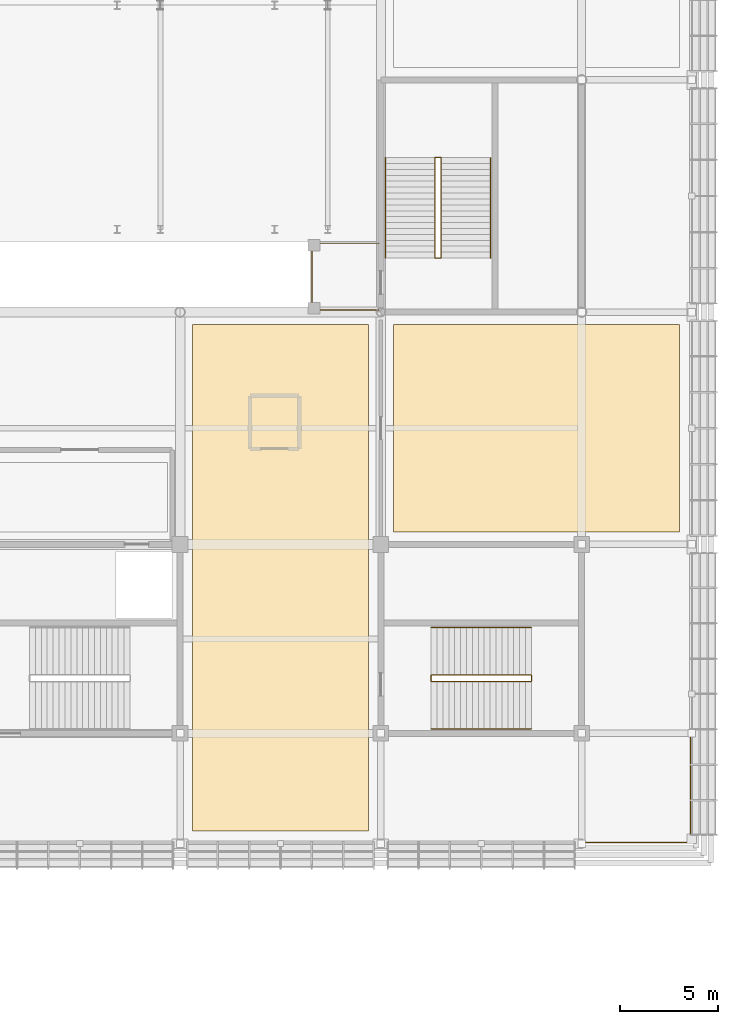
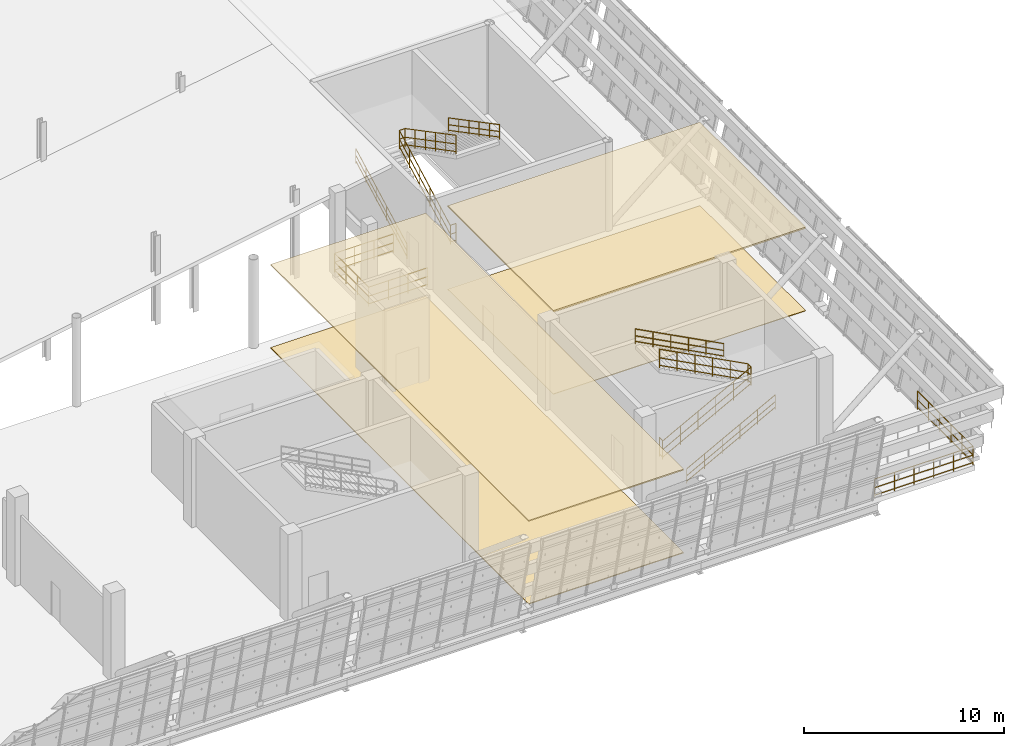
# One storey, part 168 of 175: 10 railings, 4 coverings.
"""IFC4 building model written with IfcOpenShell, lengths in metres."""

from ifc_helpers import new_model, si_unit, direction, frame, origin, origin_2d, place, context, subcontext, project, spatial, polyline, circle, outline, extrude, material, layer, layer_set, type_object, element, save


model = new_model("IFC4")

# Units and contexts
model_context = context("Model", 3, precision=1e-05, world=origin(), true_north=direction((0.0, 1.0)))
body_context = subcontext(model_context, "Body", "Model", "MODEL_VIEW")
ifc_project = project(units=[si_unit("LENGTHUNIT", "METRE"), si_unit("AREAUNIT", "SQUARE_METRE"), si_unit("VOLUMEUNIT", "CUBIC_METRE"), si_unit("PLANEANGLEUNIT", "RADIAN"), si_unit("MASSUNIT", "GRAM", prefix="KILO")], contexts=[model_context])

# Site, building, storey
site_placement = place(None, origin())
site = spatial("IfcSite", under=ifc_project, at=site_placement, CompositionType="ELEMENT")
building_placement = place(site_placement, origin())
building = spatial("IfcBuilding", under=site, at=building_placement, Name="Brelvane Convention Centre", CompositionType="ELEMENT")
storey_placement = place(building_placement, frame((0.0, 0.0, 5.39990234375)))
storey = spatial("IfcBuildingStorey", under=building, at=storey_placement, Name="L01", CompositionType="ELEMENT", Elevation=5.39990234375)

# Coverings
ifc_material_1 = material(Name="Perforated Anodised Aluminium Alloy 6063 Acoustic Baffle", Category="aluminium")
ifc_layer_1 = layer(ifc_material_1, 0.074951171875)
ifc_layer_set_1 = layer_set([ifc_layer_1], Name="Perforated Anodised Aluminium Alloy 6063 Acoustic Baffle")
covering_type_1 = type_object("IfcCoveringType", Name="Interior Finish CL-BAF-75", PredefinedType="CEILING", material=ifc_layer_set_1)
covering_1_placement = place(storey_placement, frame((0.0, 0.0, 5.045166015625)))
element("IfcCovering", 1, at=covering_1_placement, inside=storey, type_object=covering_type_1, Name="Business Centre Acoustic Ceiling (CL-BAF-75)", PredefinedType="CEILING", context=body_context, shape_type="SweptSolid", body=[
    extrude(outline(polyline([(204.6298828125, 14.22998046875), (213.570068359375, 14.22998046875), (213.570068359375, 39.969970703125), (204.6298828125, 39.969970703125), (204.6298828125, 14.22998046875)])), origin(), (0.0, 0.0, 1.0), 0.074951171875),
])
ifc_material_2 = material(Name="Perforated Anodised Aluminium Alloy 6063 Acoustic Baffle", Category="aluminium")
ifc_layer_2 = layer(ifc_material_2, 0.090087890625)
ifc_layer_set_2 = layer_set([ifc_layer_2], Name="Perforated Anodised Aluminium Alloy 6063 Acoustic Baffle")
covering_type_2 = type_object("IfcCoveringType", Name="Interior Finish CL-BAF-90", PredefinedType="CEILING", material=ifc_layer_set_2)
covering_2_placement = place(storey_placement, frame((0.0, 0.0, 5.030029296875)))
element("IfcCovering", 2, at=covering_2_placement, inside=storey, type_object=covering_type_2, Name="Delegate Courtyard Brasserie L01 Acoustic Ceiling (CL-BAF-90)", PredefinedType="CEILING", context=body_context, shape_type="SweptSolid", body=[
    extrude(outline(polyline([(214.830078125, 29.429931640625), (229.3701171875, 29.429931640625), (229.3701171875, 39.969970703125), (214.830078125, 39.969970703125), (214.830078125, 29.429931640625)])), origin(), (0.0, 0.0, 1.0), 0.090087890625),
])
ifc_material_3 = material(Name="Heavy-Duty Quartz-Filled Industrial Epoxy Screed Grade A")
ifc_layer_3 = layer(ifc_material_3, 0.034912109375)
ifc_layer_set_3 = layer_set([ifc_layer_3], Name="Heavy-Duty Quartz-Filled Industrial Epoxy Screed Grade A")
covering_type_3 = type_object("IfcCoveringType", Name="Interior Finish FL-EPX-35", PredefinedType="FLOORING", material=ifc_layer_set_3)
covering_3_placement = place(storey_placement, origin())
element("IfcCovering", 3, at=covering_3_placement, inside=storey, type_object=covering_type_3, Name="Delegate Courtyard Brasserie L01 Floor Finish (FL-EPX-35)", PredefinedType="FLOORING", context=body_context, shape_type="SweptSolid", body=[
    extrude(outline(polyline([(214.830078125, 29.429931640625), (229.3701171875, 29.429931640625), (229.3701171875, 39.969970703125), (214.830078125, 39.969970703125), (214.830078125, 29.429931640625)])), origin(), (0.0, 0.0, 1.0), 0.03515625),
])
ifc_material_4 = material(Name="Polished Basalt-Aggregate Terrazzo Screed Concrete M30", Category="masonry")
ifc_layer_4 = layer(ifc_material_4, 0.050048828125)
ifc_layer_set_4 = layer_set([ifc_layer_4], Name="Polished Basalt-Aggregate Terrazzo Screed Concrete M30")
covering_type_4 = type_object("IfcCoveringType", Name="Interior Finish FL-TER-50", PredefinedType="FLOORING", material=ifc_layer_set_4)
covering_4_placement = place(storey_placement, origin())
element("IfcCovering", 4, at=covering_4_placement, inside=storey, type_object=covering_type_4, Name="Business Centre Floor Finish (FL-TER-50)", PredefinedType="FLOORING", context=body_context, shape_type="SweptSolid", body=[
    extrude(outline(polyline([(204.6298828125, 14.22998046875), (213.570068359375, 14.22998046875), (213.570068359375, 39.969970703125), (204.6298828125, 39.969970703125), (204.6298828125, 14.22998046875)])), origin(), (0.0, 0.0, 1.0), 0.050048828125),
])

# Railings
ifc_material_5 = material(Name="Steel E350 (350 MPa)", Category="steel")
railing_type_1 = type_object("IfcRailingType", Name="Railing BL-ATR-1", PredefinedType="BALUSTRADE", material=ifc_material_5)
railing_1_placement = place(storey_placement, frame((214.10009765625, 44.10009765625, 0.0)))
element("IfcRailing", 5, at=railing_1_placement, inside=storey, type_object=railing_type_1, Name="Railing BL-ATR-1 L01-plen_vom_s_guard", PredefinedType="BALUSTRADE", context=body_context, shape_type="SweptSolid", body=[
    extrude(circle(Radius=0.02392578125, at=origin_2d()), frame((0.0, 0.0, 1.15576171875), z_axis=(-1.0, 0.0, 0.0), x_axis=(0.0, -1.0, 0.0)), (0.0, 0.0, 1.0), 3.400146484375),
    extrude(circle(Radius=0.02392578125, at=origin_2d()), frame((0.0, 0.0, 0.613525390625), z_axis=(-1.0, 0.0, 0.0), x_axis=(0.0, -1.0, 0.0)), (0.0, 0.0, 1.0), 3.400146484375),
    extrude(circle(Radius=0.02392578125, at=origin_2d()), frame((0.0, 0.0, 0.139892578125), z_axis=(-1.0, 0.0, 0.0), x_axis=(0.0, -1.0, 0.0)), (0.0, 0.0, 1.0), 3.400146484375),
    extrude(circle(Radius=0.02392578125, at=origin_2d()), frame((-3.400146484375, 0.0, 1.15576171875), z_axis=(0.0, -1.0, 0.0), x_axis=(1.0, 0.0, 0.0)), (0.0, 0.0, 1.0), 3.400146484375),
    extrude(circle(Radius=0.02392578125, at=origin_2d()), frame((-3.400146484375, 0.0, 0.613525390625), z_axis=(0.0, -1.0, 0.0), x_axis=(1.0, 0.0, 0.0)), (0.0, 0.0, 1.0), 3.400146484375),
    extrude(circle(Radius=0.02392578125, at=origin_2d()), frame((-3.400146484375, 0.0, 0.139892578125), z_axis=(0.0, -1.0, 0.0), x_axis=(1.0, 0.0, 0.0)), (0.0, 0.0, 1.0), 3.400146484375),
    extrude(circle(Radius=0.02392578125, at=origin_2d()), frame((-3.400146484375, -3.400146484375, 1.15576171875), z_axis=(1.0, 0.0, 0.0), x_axis=(0.0, 1.0, 0.0)), (0.0, 0.0, 1.0), 3.400146484375),
    extrude(circle(Radius=0.02392578125, at=origin_2d()), frame((-3.400146484375, -3.400146484375, 0.613525390625), z_axis=(1.0, 0.0, 0.0), x_axis=(0.0, 1.0, 0.0)), (0.0, 0.0, 1.0), 3.400146484375),
    extrude(circle(Radius=0.02392578125, at=origin_2d()), frame((-3.400146484375, -3.400146484375, 0.139892578125), z_axis=(1.0, 0.0, 0.0), x_axis=(0.0, 1.0, 0.0)), (0.0, 0.0, 1.0), 3.400146484375),
    extrude(circle(Radius=0.02099609375, at=origin_2d()), origin(), (0.0, 0.0, 1.0), 1.1318359375),
    extrude(circle(Radius=0.02099609375, at=origin_2d()), frame((-1.13330078125, 0.0, 0.0)), (0.0, 0.0, 1.0), 1.1318359375),
    extrude(circle(Radius=0.02099609375, at=origin_2d()), frame((-2.266845703125, 0.0, 0.0)), (0.0, 0.0, 1.0), 1.1318359375),
    extrude(circle(Radius=0.02099609375, at=origin_2d()), frame((-3.400146484375, 0.0, 0.0)), (0.0, 0.0, 1.0), 1.1318359375),
    extrude(circle(Radius=0.02099609375, at=origin_2d()), frame((-3.400146484375, -1.13330078125, 0.0)), (0.0, 0.0, 1.0), 1.1318359375),
    extrude(circle(Radius=0.02099609375, at=origin_2d()), frame((-3.400146484375, -2.266845703125, 0.0)), (0.0, 0.0, 1.0), 1.1318359375),
    extrude(circle(Radius=0.02099609375, at=origin_2d()), frame((-3.400146484375, -3.400146484375, 0.0)), (0.0, 0.0, 1.0), 1.1318359375),
    extrude(circle(Radius=0.02099609375, at=origin_2d()), frame((-2.266845703125, -3.400146484375, 0.0)), (0.0, 0.0, 1.0), 1.1318359375),
    extrude(circle(Radius=0.02099609375, at=origin_2d()), frame((-1.13330078125, -3.400146484375, 0.0)), (0.0, 0.0, 1.0), 1.1318359375),
    extrude(circle(Radius=0.02099609375, at=origin_2d()), frame((0.0, -3.400146484375, 0.0)), (0.0, 0.0, 1.0), 1.1318359375),
])
ifc_material_6 = material(Name="Steel E350 (350 MPa)", Category="steel")
railing_type_2 = type_object("IfcRailingType", Name="Railing GR-EXT-1", PredefinedType="GUARDRAIL", material=ifc_material_6)
railing_2_placement = place(storey_placement, frame((224.25, 13.659912109375, 0.0)))
element("IfcRailing", 6, at=railing_2_placement, inside=storey, type_object=railing_type_2, Name="Railing GR-EXT-1 L01-bus_east_edge_L01", PredefinedType="GUARDRAIL", context=body_context, shape_type="SweptSolid", body=[
    extrude(circle(Radius=0.02392578125, at=origin_2d()), frame((0.0, 0.0, 1.1259765625), z_axis=(1.0, 0.0, 0.0), x_axis=(0.0, 1.0, 0.0)), (0.0, 0.0, 1.0), 5.669921875),
    extrude(circle(Radius=0.02392578125, at=origin_2d()), frame((0.0, 0.0, 0.597900390625), z_axis=(1.0, 0.0, 0.0), x_axis=(0.0, 1.0, 0.0)), (0.0, 0.0, 1.0), 5.669921875),
    extrude(circle(Radius=0.02392578125, at=origin_2d()), frame((0.0, 0.0, 0.139892578125), z_axis=(1.0, 0.0, 0.0), x_axis=(0.0, 1.0, 0.0)), (0.0, 0.0, 1.0), 5.669921875),
    extrude(circle(Radius=0.02392578125, at=origin_2d()), frame((5.669921875, 0.0, 1.1259765625), z_axis=(0.0, 1.0, 0.0), x_axis=(-1.0, 0.0, 0.0)), (0.0, 0.0, 1.0), 5.56005859375),
    extrude(circle(Radius=0.02392578125, at=origin_2d()), frame((5.669921875, 0.0, 0.597900390625), z_axis=(0.0, 1.0, 0.0), x_axis=(-1.0, 0.0, 0.0)), (0.0, 0.0, 1.0), 5.56005859375),
    extrude(circle(Radius=0.02392578125, at=origin_2d()), frame((5.669921875, 0.0, 0.139892578125), z_axis=(0.0, 1.0, 0.0), x_axis=(-1.0, 0.0, 0.0)), (0.0, 0.0, 1.0), 5.56005859375),
    extrude(circle(Radius=0.02099609375, at=origin_2d()), origin(), (0.0, 0.0, 1.0), 1.101806640625),
    extrude(circle(Radius=0.02099609375, at=origin_2d()), frame((1.134033203125, 0.0, 0.0)), (0.0, 0.0, 1.0), 1.101806640625),
    extrude(circle(Radius=0.02099609375, at=origin_2d()), frame((2.26806640625, 0.0, 0.0)), (0.0, 0.0, 1.0), 1.101806640625),
    extrude(circle(Radius=0.02099609375, at=origin_2d()), frame((3.40185546875, 0.0, 0.0)), (0.0, 0.0, 1.0), 1.101806640625),
    extrude(circle(Radius=0.02099609375, at=origin_2d()), frame((4.535888671875, 0.0, 0.0)), (0.0, 0.0, 1.0), 1.101806640625),
    extrude(circle(Radius=0.02099609375, at=origin_2d()), frame((5.669921875, 0.0, 0.0)), (0.0, 0.0, 1.0), 1.101806640625),
    extrude(circle(Radius=0.02099609375, at=origin_2d()), frame((5.669921875, 1.112060546875, 0.0)), (0.0, 0.0, 1.0), 1.101806640625),
    extrude(circle(Radius=0.02099609375, at=origin_2d()), frame((5.669921875, 2.22412109375, 0.0)), (0.0, 0.0, 1.0), 1.101806640625),
    extrude(circle(Radius=0.02099609375, at=origin_2d()), frame((5.669921875, 3.3359375, 0.0)), (0.0, 0.0, 1.0), 1.101806640625),
    extrude(circle(Radius=0.02099609375, at=origin_2d()), frame((5.669921875, 4.447998046875, 0.0)), (0.0, 0.0, 1.0), 1.101806640625),
    extrude(circle(Radius=0.02099609375, at=origin_2d()), frame((5.669921875, 5.56005859375, 0.0)), (0.0, 0.0, 1.0), 1.101806640625),
])
ifc_material_7 = material(Name="Steel E350 (350 MPa)", Category="steel")
railing_type_3 = type_object("IfcRailingType", Name="Stair Railing GR-ST-1", PredefinedType="GUARDRAIL", material=ifc_material_7)
railing_3_placement = place(storey_placement, frame((216.75, 21.840087890625, -0.02001953125)))
element("IfcRailing", 7, at=railing_3_placement, inside=storey, type_object=railing_type_3, Name="Stair ST-14 L01 Inner Well Guard", PredefinedType="GUARDRAIL", context=body_context, shape_type="SweptSolid", body=[
    extrude(circle(Radius=0.02392578125, at=origin_2d()), frame((0.0, 0.0, 1.1259765625), z_axis=(0.882341248864, 0.0, 0.470610157724), x_axis=(0.0, 1.0, 0.0)), (0.0, 0.0, 1.0), 5.7802734375),
    extrude(circle(Radius=0.02392578125, at=origin_2d()), frame((0.0, 0.0, 0.597900390625), z_axis=(0.882341248864, 0.0, 0.470610157724), x_axis=(0.0, 1.0, 0.0)), (0.0, 0.0, 1.0), 5.7802734375),
    extrude(circle(Radius=0.02392578125, at=origin_2d()), frame((0.0, 0.0, 0.139892578125), z_axis=(0.882341248864, 0.0, 0.470610157724), x_axis=(0.0, 1.0, 0.0)), (0.0, 0.0, 1.0), 5.7802734375),
    extrude(circle(Radius=0.02392578125, at=origin_2d()), frame((5.10009765625, 0.0, 3.84619140625), z_axis=(0.0, 1.0, 0.0), x_axis=(-1.0, 0.0, 0.0)), (0.0, 0.0, 1.0), 0.31982421875),
    extrude(circle(Radius=0.02392578125, at=origin_2d()), frame((5.10009765625, 0.0, 3.318115234375), z_axis=(0.0, 1.0, 0.0), x_axis=(-1.0, 0.0, 0.0)), (0.0, 0.0, 1.0), 0.31982421875),
    extrude(circle(Radius=0.02392578125, at=origin_2d()), frame((5.10009765625, 0.0, 2.860107421875), z_axis=(0.0, 1.0, 0.0), x_axis=(-1.0, 0.0, 0.0)), (0.0, 0.0, 1.0), 0.31982421875),
    extrude(circle(Radius=0.02392578125, at=origin_2d()), frame((5.10009765625, 0.31982421875, 3.84619140625), z_axis=(-0.885227801088, 0.0, 0.465157758379), x_axis=(0.0, -1.0, 0.0)), (0.0, 0.0, 1.0), 5.76123046875),
    extrude(circle(Radius=0.02392578125, at=origin_2d()), frame((5.10009765625, 0.31982421875, 3.318115234375), z_axis=(-0.885227801088, 0.0, 0.465157758379), x_axis=(0.0, -1.0, 0.0)), (0.0, 0.0, 1.0), 5.76123046875),
    extrude(circle(Radius=0.02392578125, at=origin_2d()), frame((5.10009765625, 0.31982421875, 2.860107421875), z_axis=(-0.885227801088, 0.0, 0.465157758379), x_axis=(0.0, -1.0, 0.0)), (0.0, 0.0, 1.0), 5.76123046875),
    extrude(circle(Radius=0.02099609375, at=origin_2d()), origin(), (0.0, 0.0, 1.0), 1.101806640625),
    extrude(circle(Radius=0.02099609375, at=origin_2d()), frame((1.02001953125, 0.0, 0.5439453125)), (0.0, 0.0, 1.0), 1.101806640625),
    extrude(circle(Radius=0.02099609375, at=origin_2d()), frame((2.0400390625, 0.0, 1.088134765625)), (0.0, 0.0, 1.0), 1.101806640625),
    extrude(circle(Radius=0.02099609375, at=origin_2d()), frame((3.06005859375, 0.0, 1.632080078125)), (0.0, 0.0, 1.0), 1.101806640625),
    extrude(circle(Radius=0.02099609375, at=origin_2d()), frame((4.080078125, 0.0, 2.17626953125)), (0.0, 0.0, 1.0), 1.101806640625),
    extrude(circle(Radius=0.02099609375, at=origin_2d()), frame((5.10009765625, 0.0, 2.72021484375)), (0.0, 0.0, 1.0), 1.101806640625),
    extrude(circle(Radius=0.02099609375, at=origin_2d()), frame((5.10009765625, 0.31982421875, 2.72021484375)), (0.0, 0.0, 1.0), 1.101806640625),
    extrude(circle(Radius=0.02099609375, at=origin_2d()), frame((4.080078125, 0.31982421875, 3.256103515625)), (0.0, 0.0, 1.0), 1.101806640625),
    extrude(circle(Radius=0.02099609375, at=origin_2d()), frame((3.06005859375, 0.31982421875, 3.792236328125)), (0.0, 0.0, 1.0), 1.101806640625),
    extrude(circle(Radius=0.02099609375, at=origin_2d()), frame((2.0400390625, 0.31982421875, 4.328125)), (0.0, 0.0, 1.0), 1.101806640625),
    extrude(circle(Radius=0.02099609375, at=origin_2d()), frame((1.02001953125, 0.31982421875, 4.8642578125)), (0.0, 0.0, 1.0), 1.101806640625),
    extrude(circle(Radius=0.02099609375, at=origin_2d()), frame((0.0, 0.31982421875, 5.400146484375)), (0.0, 0.0, 1.0), 1.101806640625),
])
railing_4_placement = place(storey_placement, frame((216.93994140625, 43.35009765625, -0.02001953125)))
element("IfcRailing", 8, at=railing_4_placement, inside=storey, type_object=railing_type_3, Name="Stair ST-15 L01 Inner Well Guard", PredefinedType="GUARDRAIL", context=body_context, shape_type="SweptSolid", body=[
    extrude(circle(Radius=0.02392578125, at=origin_2d()), frame((0.0, 0.0, 1.1259765625), z_axis=(0.0, 0.882331893838, 0.470627696929), x_axis=(-1.0, 0.0, 0.0)), (0.0, 0.0, 1.0), 5.780029296875),
    extrude(circle(Radius=0.02392578125, at=origin_2d()), frame((0.0, 0.0, 0.597900390625), z_axis=(0.0, 0.882331893838, 0.470627696929), x_axis=(-1.0, 0.0, 0.0)), (0.0, 0.0, 1.0), 5.780029296875),
    extrude(circle(Radius=0.02392578125, at=origin_2d()), frame((0.0, 0.0, 0.139892578125), z_axis=(0.0, 0.882331893838, 0.470627696929), x_axis=(-1.0, 0.0, 0.0)), (0.0, 0.0, 1.0), 5.780029296875),
    extrude(circle(Radius=0.02392578125, at=origin_2d()), frame((0.0, 5.099853515625, 3.84619140625), z_axis=(1.0, 0.0, 0.0), x_axis=(0.0, 1.0, 0.0)), (0.0, 0.0, 1.0), 0.320068359375),
    extrude(circle(Radius=0.02392578125, at=origin_2d()), frame((0.0, 5.099853515625, 3.318115234375), z_axis=(1.0, 0.0, 0.0), x_axis=(0.0, 1.0, 0.0)), (0.0, 0.0, 1.0), 0.320068359375),
    extrude(circle(Radius=0.02392578125, at=origin_2d()), frame((0.0, 5.099853515625, 2.860107421875), z_axis=(1.0, 0.0, 0.0), x_axis=(0.0, 1.0, 0.0)), (0.0, 0.0, 1.0), 0.320068359375),
    extrude(circle(Radius=0.02392578125, at=origin_2d()), frame((0.320068359375, 5.099853515625, 3.84619140625), z_axis=(0.0, -0.885218631674, 0.465175207999), x_axis=(1.0, 0.0, 0.0)), (0.0, 0.0, 1.0), 5.76123046875),
    extrude(circle(Radius=0.02392578125, at=origin_2d()), frame((0.320068359375, 5.099853515625, 3.318115234375), z_axis=(0.0, -0.885218631674, 0.465175207999), x_axis=(1.0, 0.0, 0.0)), (0.0, 0.0, 1.0), 5.76123046875),
    extrude(circle(Radius=0.02392578125, at=origin_2d()), frame((0.320068359375, 5.099853515625, 2.860107421875), z_axis=(0.0, -0.885218631674, 0.465175207999), x_axis=(1.0, 0.0, 0.0)), (0.0, 0.0, 1.0), 5.76123046875),
    extrude(circle(Radius=0.02099609375, at=origin_2d()), origin(), (0.0, 0.0, 1.0), 1.101806640625),
    extrude(circle(Radius=0.02099609375, at=origin_2d()), frame((0.0, 1.02001953125, 0.5439453125)), (0.0, 0.0, 1.0), 1.101806640625),
    extrude(circle(Radius=0.02099609375, at=origin_2d()), frame((0.0, 2.0400390625, 1.088134765625)), (0.0, 0.0, 1.0), 1.101806640625),
    extrude(circle(Radius=0.02099609375, at=origin_2d()), frame((0.0, 3.059814453125, 1.632080078125)), (0.0, 0.0, 1.0), 1.101806640625),
    extrude(circle(Radius=0.02099609375, at=origin_2d()), frame((0.0, 4.079833984375, 2.17626953125)), (0.0, 0.0, 1.0), 1.101806640625),
    extrude(circle(Radius=0.02099609375, at=origin_2d()), frame((0.0, 5.099853515625, 2.72021484375)), (0.0, 0.0, 1.0), 1.101806640625),
    extrude(circle(Radius=0.02099609375, at=origin_2d()), frame((0.320068359375, 5.099853515625, 2.72021484375)), (0.0, 0.0, 1.0), 1.101806640625),
    extrude(circle(Radius=0.02099609375, at=origin_2d()), frame((0.320068359375, 4.079833984375, 3.256103515625)), (0.0, 0.0, 1.0), 1.101806640625),
    extrude(circle(Radius=0.02099609375, at=origin_2d()), frame((0.320068359375, 3.059814453125, 3.792236328125)), (0.0, 0.0, 1.0), 1.101806640625),
    extrude(circle(Radius=0.02099609375, at=origin_2d()), frame((0.320068359375, 2.0400390625, 4.328125)), (0.0, 0.0, 1.0), 1.101806640625),
    extrude(circle(Radius=0.02099609375, at=origin_2d()), frame((0.320068359375, 1.02001953125, 4.8642578125)), (0.0, 0.0, 1.0), 1.101806640625),
    extrude(circle(Radius=0.02099609375, at=origin_2d()), frame((0.320068359375, 0.0, 5.400146484375)), (0.0, 0.0, 1.0), 1.101806640625),
])
ifc_material_8 = material(Name="Steel E350 (350 MPa)", Category="steel")
railing_type_4 = type_object("IfcRailingType", Name="Stair Railing GR-ST-2", PredefinedType="GUARDRAIL", material=ifc_material_8)
railing_5_placement = place(storey_placement, frame((216.75, 21.840087890625, -0.02001953125)))
element("IfcRailing", 9, at=railing_5_placement, inside=storey, type_object=railing_type_4, Name="Stair ST-14 L01 Landing Well Guard", PredefinedType="GUARDRAIL", context=body_context, shape_type="SweptSolid", body=[
    extrude(circle(Radius=0.02392578125, at=origin_2d()), frame((0.0, 0.0, 1.15576171875), z_axis=(0.0, 1.0, 0.0), x_axis=(-1.0, 0.0, 0.0)), (0.0, 0.0, 1.0), 0.31982421875),
    extrude(circle(Radius=0.02392578125, at=origin_2d()), frame((0.0, 0.0, 0.613525390625), z_axis=(0.0, 1.0, 0.0), x_axis=(-1.0, 0.0, 0.0)), (0.0, 0.0, 1.0), 0.31982421875),
    extrude(circle(Radius=0.02392578125, at=origin_2d()), frame((0.0, 0.0, 0.139892578125), z_axis=(0.0, 1.0, 0.0), x_axis=(-1.0, 0.0, 0.0)), (0.0, 0.0, 1.0), 0.31982421875),
    extrude(circle(Radius=0.02099609375, at=origin_2d()), origin(), (0.0, 0.0, 1.0), 1.1318359375),
    extrude(circle(Radius=0.02099609375, at=origin_2d()), frame((0.0, 0.31982421875, 0.0)), (0.0, 0.0, 1.0), 1.1318359375),
])
railing_6_placement = place(storey_placement, frame((216.93994140625, 43.35009765625, -0.02001953125)))
element("IfcRailing", 10, at=railing_6_placement, inside=storey, type_object=railing_type_4, Name="Stair ST-15 L01 Landing Well Guard", PredefinedType="GUARDRAIL", context=body_context, shape_type="SweptSolid", body=[
    extrude(circle(Radius=0.02392578125, at=origin_2d()), frame((0.0, 0.0, 1.15576171875), z_axis=(1.0, 0.0, 0.0), x_axis=(0.0, 1.0, 0.0)), (0.0, 0.0, 1.0), 0.320068359375),
    extrude(circle(Radius=0.02392578125, at=origin_2d()), frame((0.0, 0.0, 0.613525390625), z_axis=(1.0, 0.0, 0.0), x_axis=(0.0, 1.0, 0.0)), (0.0, 0.0, 1.0), 0.320068359375),
    extrude(circle(Radius=0.02392578125, at=origin_2d()), frame((0.0, 0.0, 0.139892578125), z_axis=(1.0, 0.0, 0.0), x_axis=(0.0, 1.0, 0.0)), (0.0, 0.0, 1.0), 0.320068359375),
    extrude(circle(Radius=0.02099609375, at=origin_2d()), origin(), (0.0, 0.0, 1.0), 1.1318359375),
    extrude(circle(Radius=0.02099609375, at=origin_2d()), frame((0.320068359375, 0.0, 0.0)), (0.0, 0.0, 1.0), 1.1318359375),
])
ifc_material_9 = material(Name="Steel E350 (350 MPa)", Category="steel")
railing_type_5 = type_object("IfcRailingType", Name="Stair Railing HR-ST-1", PredefinedType="HANDRAIL", material=ifc_material_9)
railing_7_placement = place(storey_placement, frame((216.75, 19.429931640625, -0.02001953125)))
element("IfcRailing", 11, at=railing_7_placement, inside=storey, type_object=railing_type_5, Name="Stair ST-14 L01 Outer Handrail F1", PredefinedType="HANDRAIL", context=body_context, shape_type="SweptSolid", body=[
    extrude(circle(Radius=0.02392578125, at=origin_2d()), frame((0.0, 0.0, 0.89599609375), z_axis=(0.882341248864, 0.0, 0.470610157724), x_axis=(0.0, 1.0, 0.0)), (0.0, 0.0, 1.0), 5.7802734375),
    extrude(circle(Radius=0.02392578125, at=origin_2d()), frame((0.0, 0.0, 0.478271484375), z_axis=(0.882341248864, 0.0, 0.470610157724), x_axis=(0.0, 1.0, 0.0)), (0.0, 0.0, 1.0), 5.7802734375),
    extrude(circle(Radius=0.02392578125, at=origin_2d()), frame((0.0, 0.0, 0.139892578125), z_axis=(0.882341248864, 0.0, 0.470610157724), x_axis=(0.0, 1.0, 0.0)), (0.0, 0.0, 1.0), 5.7802734375),
    extrude(circle(Radius=0.02099609375, at=origin_2d()), origin(), (0.0, 0.0, 1.0), 0.871826171875),
    extrude(circle(Radius=0.02099609375, at=origin_2d()), frame((1.02001953125, 0.0, 0.5439453125)), (0.0, 0.0, 1.0), 0.871826171875),
    extrude(circle(Radius=0.02099609375, at=origin_2d()), frame((2.0400390625, 0.0, 1.088134765625)), (0.0, 0.0, 1.0), 0.871826171875),
    extrude(circle(Radius=0.02099609375, at=origin_2d()), frame((3.06005859375, 0.0, 1.632080078125)), (0.0, 0.0, 1.0), 0.871826171875),
    extrude(circle(Radius=0.02099609375, at=origin_2d()), frame((4.080078125, 0.0, 2.17626953125)), (0.0, 0.0, 1.0), 0.871826171875),
    extrude(circle(Radius=0.02099609375, at=origin_2d()), frame((5.10009765625, 0.0, 2.72021484375)), (0.0, 0.0, 1.0), 0.871826171875),
])
railing_8_placement = place(storey_placement, frame((221.85009765625, 24.570068359375, 2.7001953125)))
element("IfcRailing", 12, at=railing_8_placement, inside=storey, type_object=railing_type_5, Name="Stair ST-14 L01 Outer Handrail F2", PredefinedType="HANDRAIL", context=body_context, shape_type="SweptSolid", body=[
    extrude(circle(Radius=0.02392578125, at=origin_2d()), frame((0.0, 0.0, 0.89599609375), z_axis=(-0.885227801088, 0.0, 0.465157758379), x_axis=(0.0, -1.0, 0.0)), (0.0, 0.0, 1.0), 5.76123046875),
    extrude(circle(Radius=0.02392578125, at=origin_2d()), frame((0.0, 0.0, 0.478271484375), z_axis=(-0.885227801088, 0.0, 0.465157758379), x_axis=(0.0, -1.0, 0.0)), (0.0, 0.0, 1.0), 5.76123046875),
    extrude(circle(Radius=0.02392578125, at=origin_2d()), frame((0.0, 0.0, 0.139892578125), z_axis=(-0.885227801088, 0.0, 0.465157758379), x_axis=(0.0, -1.0, 0.0)), (0.0, 0.0, 1.0), 5.76123046875),
    extrude(circle(Radius=0.02099609375, at=origin_2d()), origin(), (0.0, 0.0, 1.0), 0.871826171875),
    extrude(circle(Radius=0.02099609375, at=origin_2d()), frame((-1.02001953125, 0.0, 0.535888671875)), (0.0, 0.0, 1.0), 0.871826171875),
    extrude(circle(Radius=0.02099609375, at=origin_2d()), frame((-2.0400390625, 0.0, 1.072021484375)), (0.0, 0.0, 1.0), 0.871826171875),
    extrude(circle(Radius=0.02099609375, at=origin_2d()), frame((-3.06005859375, 0.0, 1.60791015625)), (0.0, 0.0, 1.0), 0.871826171875),
    extrude(circle(Radius=0.02099609375, at=origin_2d()), frame((-4.080078125, 0.0, 2.14404296875)), (0.0, 0.0, 1.0), 0.871826171875),
    extrude(circle(Radius=0.02099609375, at=origin_2d()), frame((-5.10009765625, 0.0, 2.679931640625)), (0.0, 0.0, 1.0), 0.871826171875),
])
railing_9_placement = place(storey_placement, frame((214.429931640625, 43.35009765625, -0.02001953125)))
element("IfcRailing", 13, at=railing_9_placement, inside=storey, type_object=railing_type_5, Name="Stair ST-15 L01 Outer Handrail F1", PredefinedType="HANDRAIL", context=body_context, shape_type="SweptSolid", body=[
    extrude(circle(Radius=0.02392578125, at=origin_2d()), frame((0.0, 0.0, 0.89599609375), z_axis=(0.0, 0.882331893838, 0.470627696929), x_axis=(-1.0, 0.0, 0.0)), (0.0, 0.0, 1.0), 5.780029296875),
    extrude(circle(Radius=0.02392578125, at=origin_2d()), frame((0.0, 0.0, 0.478271484375), z_axis=(0.0, 0.882331893838, 0.470627696929), x_axis=(-1.0, 0.0, 0.0)), (0.0, 0.0, 1.0), 5.780029296875),
    extrude(circle(Radius=0.02392578125, at=origin_2d()), frame((0.0, 0.0, 0.139892578125), z_axis=(0.0, 0.882331893838, 0.470627696929), x_axis=(-1.0, 0.0, 0.0)), (0.0, 0.0, 1.0), 5.780029296875),
    extrude(circle(Radius=0.02099609375, at=origin_2d()), origin(), (0.0, 0.0, 1.0), 0.871826171875),
    extrude(circle(Radius=0.02099609375, at=origin_2d()), frame((0.0, 1.02001953125, 0.5439453125)), (0.0, 0.0, 1.0), 0.871826171875),
    extrude(circle(Radius=0.02099609375, at=origin_2d()), frame((0.0, 2.0400390625, 1.088134765625)), (0.0, 0.0, 1.0), 0.871826171875),
    extrude(circle(Radius=0.02099609375, at=origin_2d()), frame((0.0, 3.059814453125, 1.632080078125)), (0.0, 0.0, 1.0), 0.871826171875),
    extrude(circle(Radius=0.02099609375, at=origin_2d()), frame((0.0, 4.079833984375, 2.17626953125)), (0.0, 0.0, 1.0), 0.871826171875),
    extrude(circle(Radius=0.02099609375, at=origin_2d()), frame((0.0, 5.099853515625, 2.72021484375)), (0.0, 0.0, 1.0), 0.871826171875),
])
railing_10_placement = place(storey_placement, frame((219.77001953125, 48.449951171875, 2.7001953125)))
element("IfcRailing", 14, at=railing_10_placement, inside=storey, type_object=railing_type_5, Name="Stair ST-15 L01 Outer Handrail F2", PredefinedType="HANDRAIL", context=body_context, shape_type="SweptSolid", body=[
    extrude(circle(Radius=0.02392578125, at=origin_2d()), frame((0.0, 0.0, 0.89599609375), z_axis=(0.0, -0.885218631674, 0.465175207999), x_axis=(1.0, 0.0, 0.0)), (0.0, 0.0, 1.0), 5.76123046875),
    extrude(circle(Radius=0.02392578125, at=origin_2d()), frame((0.0, 0.0, 0.478271484375), z_axis=(0.0, -0.885218631674, 0.465175207999), x_axis=(1.0, 0.0, 0.0)), (0.0, 0.0, 1.0), 5.76123046875),
    extrude(circle(Radius=0.02392578125, at=origin_2d()), frame((0.0, 0.0, 0.139892578125), z_axis=(0.0, -0.885218631674, 0.465175207999), x_axis=(1.0, 0.0, 0.0)), (0.0, 0.0, 1.0), 5.76123046875),
    extrude(circle(Radius=0.02099609375, at=origin_2d()), origin(), (0.0, 0.0, 1.0), 0.871826171875),
    extrude(circle(Radius=0.02099609375, at=origin_2d()), frame((0.0, -1.02001953125, 0.535888671875)), (0.0, 0.0, 1.0), 0.871826171875),
    extrude(circle(Radius=0.02099609375, at=origin_2d()), frame((0.0, -2.0400390625, 1.072021484375)), (0.0, 0.0, 1.0), 0.871826171875),
    extrude(circle(Radius=0.02099609375, at=origin_2d()), frame((0.0, -3.059814453125, 1.60791015625)), (0.0, 0.0, 1.0), 0.871826171875),
    extrude(circle(Radius=0.02099609375, at=origin_2d()), frame((0.0, -4.079833984375, 2.14404296875)), (0.0, 0.0, 1.0), 0.871826171875),
    extrude(circle(Radius=0.02099609375, at=origin_2d()), frame((0.0, -5.099853515625, 2.679931640625)), (0.0, 0.0, 1.0), 0.871826171875),
])

save(model, "model.ifc")
